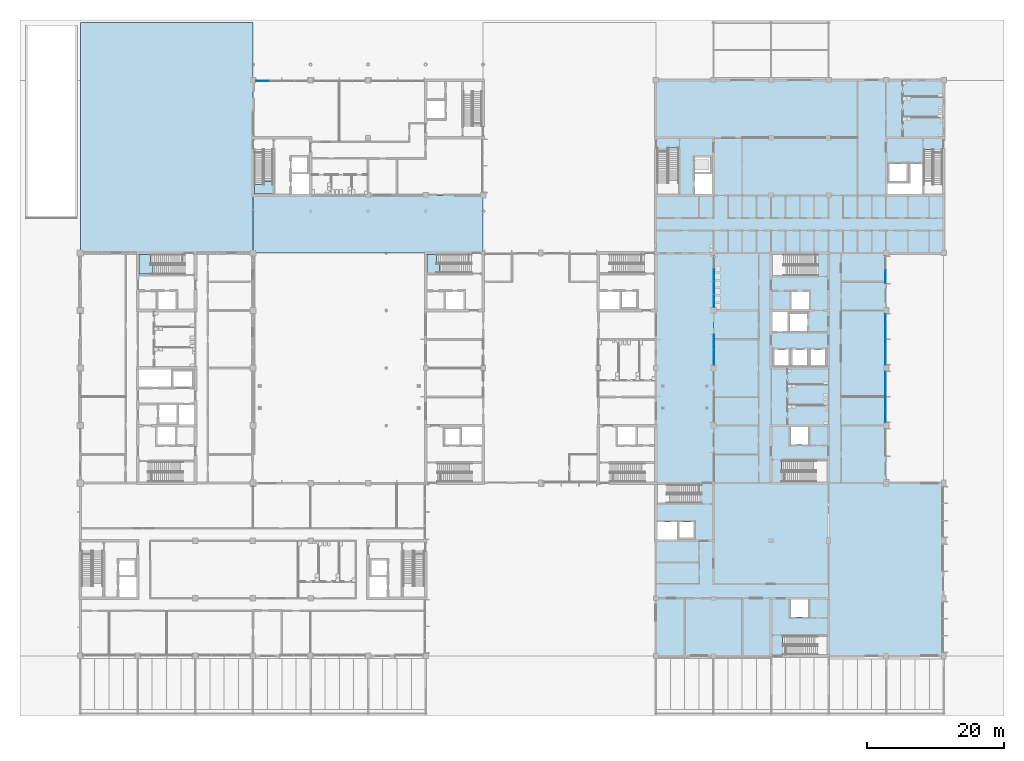
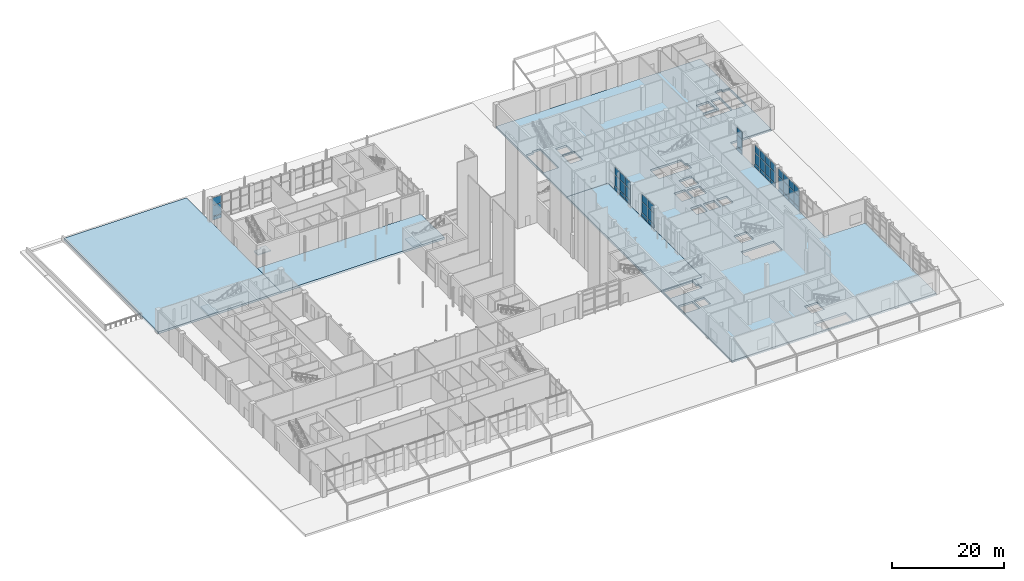
# One storey, part 28 of 76: 45 plates, 7 slabs, 9 elements without a shape of their own.
"""IFC4 building model written with IfcOpenShell, lengths in metres."""

from ifc_helpers import new_model, si_unit, direction, frame, origin, origin_2d, place, context, subcontext, project, spatial, polyline, rectangle, outline, extrude, material, layer, layer_set, type_object, element, aggregate, save


model = new_model("IFC4")

# Units and contexts
model_context = context("Model", 3, precision=1e-05, world=origin(), true_north=direction((0.0, 1.0)))
body_context = subcontext(model_context, "Body", "Model", "MODEL_VIEW")
ifc_project = project(units=[si_unit("LENGTHUNIT", "METRE"), si_unit("AREAUNIT", "SQUARE_METRE"), si_unit("VOLUMEUNIT", "CUBIC_METRE"), si_unit("PLANEANGLEUNIT", "RADIAN"), si_unit("MASSUNIT", "GRAM", prefix="KILO")], contexts=[model_context])

# Site, building, storey
site_placement = place(None, origin())
site = spatial("IfcSite", under=ifc_project, at=site_placement, CompositionType="ELEMENT")
building_placement = place(site_placement, origin())
building = spatial("IfcBuilding", under=site, at=building_placement, Name="Hlaing Beacon Police Headquarters", CompositionType="ELEMENT")
storey_placement = place(building_placement, origin())
storey = spatial("IfcBuildingStorey", under=building, at=storey_placement, Name="L00", CompositionType="ELEMENT", Elevation=0.0)

# Curtain wall, plates
ifc_material_1 = material(Name="Aluminium frame with solar control glazing", Category="aluminium")
curtain_wall_type_1 = type_object("IfcCurtainWallType", Name="Unitised curtain wall 7.50 x 5.05", PredefinedType="NOTDEFINED", material=ifc_material_1)
curtain_wall_1_placement = place(storey_placement, origin())
curtain_wall_1 = element("IfcCurtainWall", 1, at=curtain_wall_1_placement, inside=storey, type_object=curtain_wall_type_1, Name="ENV-CW-L00-E013", PredefinedType="NOTDEFINED")
ifc_material_2 = material(Name="Solar control glazing", Category="glass")
ifc_layer_1 = layer(ifc_material_2, 0.031982421875)
ifc_layer_set_1 = layer_set([ifc_layer_1], Name="Solar control glazing")
plate_type_1 = type_object("IfcPlateType", Name="Clear glazing panel 32", PredefinedType="CURTAIN_PANEL", material=ifc_layer_set_1)
plate_1_placement = place(storey_placement, frame((125.89990234375, 45.262451171875, 3.349853515625), z_axis=(0.0, 0.0, 1.0), x_axis=(0.0, 1.0, 0.0)))
plate_1 = element("IfcPlate", 2, at=plate_1_placement, type_object=plate_type_1, Name="CW-L00-E013 panel 2.3", PredefinedType="CURTAIN_PANEL", context=body_context, shape_type="SweptSolid", body=[
    extrude(rectangle(XDim=1.81494140625, YDim=0.031982421875, at=origin_2d()), origin(), (0.0, 0.0, 1.0), 1.60009765625),
])
plate_2_placement = place(storey_placement, frame((125.89990234375, 48.99755859375, 3.349853515625), z_axis=(0.0, 0.0, 1.0), x_axis=(0.0, 1.0, 0.0)))
plate_2 = element("IfcPlate", 3, at=plate_2_placement, type_object=plate_type_1, Name="CW-L00-E013 panel 4.3", PredefinedType="CURTAIN_PANEL", context=body_context, shape_type="SweptSolid", body=[
    extrude(rectangle(XDim=1.784912109375, YDim=0.031982421875, at=origin_2d()), origin(), (0.0, 0.0, 1.0), 1.60009765625),
])

curtain_wall_2_placement = place(storey_placement, origin())
curtain_wall_2 = element("IfcCurtainWall", 4, at=curtain_wall_2_placement, inside=storey, type_object=curtain_wall_type_1, Name="ENV-CW-L00-E014", PredefinedType="NOTDEFINED")
plate_3_placement = place(storey_placement, frame((125.89990234375, 53.66259765625, 3.349853515625), z_axis=(0.0, 0.0, 1.0), x_axis=(0.0, 1.0, 0.0)))
plate_3 = element("IfcPlate", 5, at=plate_3_placement, type_object=plate_type_1, Name="CW-L00-E014 panel 2.3", PredefinedType="CURTAIN_PANEL", context=body_context, shape_type="SweptSolid", body=[
    extrude(rectangle(XDim=1.81494140625, YDim=0.031982421875, at=origin_2d()), origin(), (0.0, 0.0, 1.0), 1.60009765625),
])
plate_4_placement = place(storey_placement, frame((125.89990234375, 57.3974609375, 3.349853515625), z_axis=(0.0, 0.0, 1.0), x_axis=(0.0, 1.0, 0.0)))
plate_4 = element("IfcPlate", 6, at=plate_4_placement, type_object=plate_type_1, Name="CW-L00-E014 panel 4.3", PredefinedType="CURTAIN_PANEL", context=body_context, shape_type="SweptSolid", body=[
    extrude(rectangle(XDim=1.784912109375, YDim=0.031982421875, at=origin_2d()), origin(), (0.0, 0.0, 1.0), 1.60009765625),
])

curtain_wall_3_placement = place(storey_placement, origin())
curtain_wall_3 = element("IfcCurtainWall", 7, at=curtain_wall_3_placement, inside=storey, type_object=curtain_wall_type_1, Name="ENV-CW-L00-W016", PredefinedType="NOTDEFINED")
plate_5_placement = place(storey_placement, frame((100.89990234375, 63.9375, 3.349853515625), z_axis=(0.0, 0.0, 1.0), x_axis=(0.0, -1.0, 0.0)))
plate_5 = element("IfcPlate", 8, at=plate_5_placement, type_object=plate_type_1, Name="CW-L00-W016 panel 2.3", PredefinedType="CURTAIN_PANEL", context=body_context, shape_type="SweptSolid", body=[
    extrude(rectangle(XDim=1.81494140625, YDim=0.031982421875, at=origin_2d()), origin(), (0.0, 0.0, 1.0), 1.60009765625),
])
plate_6_placement = place(storey_placement, frame((100.89990234375, 60.202392578125, 3.349853515625), z_axis=(0.0, 0.0, 1.0), x_axis=(0.0, -1.0, 0.0)))
plate_6 = element("IfcPlate", 9, at=plate_6_placement, type_object=plate_type_1, Name="CW-L00-W016 panel 4.3", PredefinedType="CURTAIN_PANEL", context=body_context, shape_type="SweptSolid", body=[
    extrude(rectangle(XDim=1.784912109375, YDim=0.031982421875, at=origin_2d()), origin(), (0.0, 0.0, 1.0), 1.60009765625),
])

# Curtain wall, plate
ifc_material_3 = material(Name="Aluminium frame with solar control glazing", Category="aluminium")
curtain_wall_type_2 = type_object("IfcCurtainWallType", Name="Unitised curtain wall 7.60 x 5.05", PredefinedType="NOTDEFINED", material=ifc_material_3)
curtain_wall_4_placement = place(storey_placement, origin())
curtain_wall_4 = element("IfcCurtainWall", 10, at=curtain_wall_4_placement, inside=storey, type_object=curtain_wall_type_2, Name="ENV-CW-L00-N025", PredefinedType="NOTDEFINED")
plate_7_placement = place(storey_placement, frame((34.965087890625, 92.300048828125, 3.349853515625), z_axis=(0.0, 0.0, 1.0), x_axis=(-1.0, 0.0, 0.0)))
plate_7 = element("IfcPlate", 11, at=plate_7_placement, type_object=plate_type_1, Name="CW-L00-N025 panel 4.3", PredefinedType="CURTAIN_PANEL", context=body_context, shape_type="SweptSolid", body=[
    extrude(rectangle(XDim=1.81005859375, YDim=0.031982421875, at=origin_2d()), origin(), (0.0, 0.0, 1.0), 1.60009765625),
])

# Plate
ifc_material_4 = material(Name="Solar control glazing", Category="glass")
ifc_layer_2 = layer(ifc_material_4, 0.0439453125)
ifc_layer_set_2 = layer_set([ifc_layer_2], Name="Solar control glazing")
plate_type_2 = type_object("IfcPlateType", Name="Clear glazing panel 44", PredefinedType="CURTAIN_PANEL", material=ifc_layer_set_2)
plate_8_placement = place(storey_placement, frame((125.89990234375, 45.262451171875, 0.9501953125), z_axis=(0.0, 0.0, 1.0), x_axis=(0.0, 1.0, 0.0)))
plate_8 = element("IfcPlate", 12, at=plate_8_placement, type_object=plate_type_2, Name="CW-L00-E013 panel 2.2", PredefinedType="CURTAIN_PANEL", context=body_context, shape_type="SweptSolid", body=[
    extrude(rectangle(XDim=1.81494140625, YDim=0.0439453125, at=origin_2d()), origin(), (0.0, 0.0, 1.0), 2.300048828125),
])

plate_9_placement = place(storey_placement, frame((125.89990234375, 48.99755859375, 0.9501953125), z_axis=(0.0, 0.0, 1.0), x_axis=(0.0, 1.0, 0.0)))
plate_9 = element("IfcPlate", 13, at=plate_9_placement, type_object=plate_type_2, Name="CW-L00-E013 panel 4.2", PredefinedType="CURTAIN_PANEL", context=body_context, shape_type="SweptSolid", body=[
    extrude(rectangle(XDim=1.784912109375, YDim=0.0439453125, at=origin_2d()), origin(), (0.0, 0.0, 1.0), 2.300048828125),
])

plate_10_placement = place(storey_placement, frame((125.89990234375, 53.66259765625, 0.9501953125), z_axis=(0.0, 0.0, 1.0), x_axis=(0.0, 1.0, 0.0)))
plate_10 = element("IfcPlate", 14, at=plate_10_placement, type_object=plate_type_2, Name="CW-L00-E014 panel 2.2", PredefinedType="CURTAIN_PANEL", context=body_context, shape_type="SweptSolid", body=[
    extrude(rectangle(XDim=1.81494140625, YDim=0.0439453125, at=origin_2d()), origin(), (0.0, 0.0, 1.0), 2.300048828125),
])

plate_11_placement = place(storey_placement, frame((125.89990234375, 57.3974609375, 0.9501953125), z_axis=(0.0, 0.0, 1.0), x_axis=(0.0, 1.0, 0.0)))
plate_11 = element("IfcPlate", 15, at=plate_11_placement, type_object=plate_type_2, Name="CW-L00-E014 panel 4.2", PredefinedType="CURTAIN_PANEL", context=body_context, shape_type="SweptSolid", body=[
    extrude(rectangle(XDim=1.784912109375, YDim=0.0439453125, at=origin_2d()), origin(), (0.0, 0.0, 1.0), 2.300048828125),
])

plate_12_placement = place(storey_placement, frame((100.89990234375, 63.9375, 0.9501953125), z_axis=(0.0, 0.0, 1.0), x_axis=(0.0, -1.0, 0.0)))
plate_12 = element("IfcPlate", 16, at=plate_12_placement, type_object=plate_type_2, Name="CW-L00-W016 panel 2.2", PredefinedType="CURTAIN_PANEL", context=body_context, shape_type="SweptSolid", body=[
    extrude(rectangle(XDim=1.81494140625, YDim=0.0439453125, at=origin_2d()), origin(), (0.0, 0.0, 1.0), 2.300048828125),
])

plate_13_placement = place(storey_placement, frame((100.89990234375, 60.202392578125, 0.9501953125), z_axis=(0.0, 0.0, 1.0), x_axis=(0.0, -1.0, 0.0)))
plate_13 = element("IfcPlate", 17, at=plate_13_placement, type_object=plate_type_2, Name="CW-L00-W016 panel 4.2", PredefinedType="CURTAIN_PANEL", context=body_context, shape_type="SweptSolid", body=[
    extrude(rectangle(XDim=1.784912109375, YDim=0.0439453125, at=origin_2d()), origin(), (0.0, 0.0, 1.0), 2.300048828125),
])

# Curtain wall, plates
ifc_material_5 = material(Name="Aluminium frame with solar control glazing", Category="aluminium")
curtain_wall_type_3 = type_object("IfcCurtainWallType", Name="Unitised curtain wall 4.45 x 5.05", PredefinedType="NOTDEFINED", material=ifc_material_5)
curtain_wall_5_placement = place(storey_placement, origin())
curtain_wall_5 = element("IfcCurtainWall", 18, at=curtain_wall_5_placement, inside=storey, type_object=curtain_wall_type_3, Name="ENV-CW-L00-W017", PredefinedType="NOTDEFINED")
plate_14_placement = place(storey_placement, frame((100.89990234375, 51.9775390625, 0.9501953125), z_axis=(0.0, 0.0, 1.0), x_axis=(0.0, -1.0, 0.0)))
plate_14 = element("IfcPlate", 19, at=plate_14_placement, type_object=plate_type_2, Name="CW-L00-W017 panel 2.2", PredefinedType="CURTAIN_PANEL", context=body_context, shape_type="SweptSolid", body=[
    extrude(rectangle(XDim=2.135009765625, YDim=0.0439453125, at=origin_2d()), origin(), (0.0, 0.0, 1.0), 2.300048828125),
])
plate_15_placement = place(storey_placement, frame((100.89990234375, 51.9775390625, 3.349853515625), z_axis=(0.0, 0.0, 1.0), x_axis=(0.0, -1.0, 0.0)))
plate_15 = element("IfcPlate", 20, at=plate_15_placement, type_object=plate_type_2, Name="CW-L00-W017 panel 2.3", PredefinedType="CURTAIN_PANEL", context=body_context, shape_type="SweptSolid", body=[
    extrude(rectangle(XDim=2.135009765625, YDim=0.0439453125, at=origin_2d()), origin(), (0.0, 0.0, 1.0), 1.60009765625),
])

# Plate
plate_16_placement = place(storey_placement, frame((34.965087890625, 92.300048828125, 0.9501953125), z_axis=(0.0, 0.0, 1.0), x_axis=(-1.0, 0.0, 0.0)))
plate_16 = element("IfcPlate", 21, at=plate_16_placement, type_object=plate_type_2, Name="CW-L00-N025 panel 4.2", PredefinedType="CURTAIN_PANEL", context=body_context, shape_type="SweptSolid", body=[
    extrude(rectangle(XDim=1.81005859375, YDim=0.0439453125, at=origin_2d()), origin(), (0.0, 0.0, 1.0), 2.300048828125),
])

# Slabs
ifc_material_6 = material(Name="Concrete C50/60", Category="concrete")
ifc_layer_3 = layer(ifc_material_6, 0.449951171875)
ifc_layer_set_3 = layer_set([ifc_layer_3], Name="Concrete C50/60")
slab_type_1 = type_object("IfcSlabType", Name="Deck slab 450", PredefinedType="FLOOR", material=ifc_layer_set_3)
slab_1_placement = place(storey_placement, frame((0.0, 0.0, -0.449951171875)))
element("IfcSlab", 22, at=slab_1_placement, inside=storey, type_object=slab_type_1, Name="STR-SLAB-L00-02", PredefinedType="FLOOR", context=body_context, shape_type="SweptSolid", body=[
    extrude(outline(polyline([(92.39990234375, 8.39990234375), (134.39990234375, 8.39990234375), (134.39990234375, 33.60009765625), (126.0, 33.60009765625), (126.0, 67.199951171875), (134.39990234375, 67.199951171875), (134.39990234375, 92.39990234375), (92.39990234375, 92.39990234375), (92.39990234375, 67.199951171875), (100.800048828125, 67.199951171875), (100.800048828125, 33.60009765625), (92.39990234375, 33.60009765625), (92.39990234375, 8.39990234375)]), holes=[polyline([(92.60009765625, 25.39990234375), (95.550048828125, 25.39990234375), (95.550048828125, 27.949951171875), (92.60009765625, 27.949951171875), (92.60009765625, 25.39990234375)]), polyline([(92.60009765625, 30.699951171875), (99.090087890625, 30.699951171875), (99.090087890625, 32.10009765625), (98.699951171875, 32.10009765625), (98.699951171875, 33.39990234375), (92.60009765625, 33.39990234375), (92.60009765625, 30.699951171875)]), polyline([(92.60009765625, 75.800048828125), (95.699951171875, 75.800048828125), (95.699951171875, 82.489990234375), (94.10009765625, 82.489990234375), (94.10009765625, 82.10009765625), (92.60009765625, 82.10009765625), (92.60009765625, 75.800048828125)]), polyline([(95.800048828125, 25.64990234375), (97.949951171875, 25.64990234375), (97.949951171875, 27.949951171875), (95.800048828125, 27.949951171875), (95.800048828125, 25.64990234375)]), polyline([(98.050048828125, 75.800048828125), (100.60009765625, 75.800048828125), (100.60009765625, 78.75), (98.050048828125, 78.75), (98.050048828125, 75.800048828125)]), polyline([(98.050048828125, 79.0), (100.35009765625, 79.0), (100.35009765625, 81.14990234375), (98.050048828125, 81.14990234375), (98.050048828125, 79.0)]), polyline([(109.39990234375, 55.75), (111.64990234375, 55.75), (111.64990234375, 58.60009765625), (109.39990234375, 58.60009765625), (109.39990234375, 55.75)]), polyline([(109.39990234375, 63.89990234375), (116.090087890625, 63.89990234375), (116.090087890625, 65.5), (115.699951171875, 65.5), (115.699951171875, 67.0), (109.39990234375, 67.0), (109.39990234375, 63.89990234375)]), polyline([(109.64990234375, 50.85009765625), (111.800048828125, 50.85009765625), (111.800048828125, 53.14990234375), (109.64990234375, 53.14990234375), (109.64990234375, 50.85009765625)]), polyline([(111.10009765625, 33.800048828125), (117.39990234375, 33.800048828125), (117.39990234375, 36.89990234375), (110.7099609375, 36.89990234375), (110.7099609375, 35.300048828125), (111.10009765625, 35.300048828125), (111.10009765625, 33.800048828125)]), polyline([(111.300048828125, 8.60009765625), (117.39990234375, 8.60009765625), (117.39990234375, 11.300048828125), (110.909912109375, 11.300048828125), (110.909912109375, 9.89990234375), (111.300048828125, 9.89990234375), (111.300048828125, 8.60009765625)]), polyline([(111.89990234375, 55.75), (114.5, 55.75), (114.5, 58.35009765625), (111.89990234375, 58.35009765625), (111.89990234375, 55.75)]), polyline([(112.050048828125, 14.050048828125), (114.64990234375, 14.050048828125), (114.64990234375, 16.60009765625), (112.050048828125, 16.60009765625), (112.050048828125, 14.050048828125)]), polyline([(112.050048828125, 39.25), (114.64990234375, 39.25), (114.64990234375, 41.800048828125), (112.050048828125, 41.800048828125), (112.050048828125, 39.25)]), polyline([(112.14990234375, 59.0), (114.75, 59.0), (114.75, 61.550048828125), (112.14990234375, 61.550048828125), (112.14990234375, 59.0)]), polyline([(112.300048828125, 50.85009765625), (114.5, 50.85009765625), (114.5, 53.14990234375), (112.300048828125, 53.14990234375), (112.300048828125, 50.85009765625)]), polyline([(115.0, 50.85009765625), (117.14990234375, 50.85009765625), (117.14990234375, 53.14990234375), (115.0, 53.14990234375), (115.0, 50.85009765625)]), polyline([(126.199951171875, 75.800048828125), (131.25, 75.800048828125), (131.25, 80.25), (129.5, 80.25), (129.5, 77.39990234375), (126.199951171875, 77.39990234375), (126.199951171875, 75.800048828125)]), polyline([(126.449951171875, 77.64990234375), (129.0, 77.64990234375), (129.0, 80.25), (126.449951171875, 80.25), (126.449951171875, 77.64990234375)]), polyline([(131.5, 75.800048828125), (134.199951171875, 75.800048828125), (134.199951171875, 81.89990234375), (132.89990234375, 81.89990234375), (132.89990234375, 82.2900390625), (131.5, 82.2900390625), (131.5, 75.800048828125)])]), origin(), (0.0, 0.0, 1.0), 0.449951171875),
])
slab_2_placement = place(storey_placement, frame((0.0, 0.0, -0.449951171875)))
element("IfcSlab", 23, at=slab_2_placement, inside=storey, type_object=slab_type_1, Name="STR-SLAB-L00-07", PredefinedType="FLOOR", context=body_context, shape_type="SweptSolid", body=[
    extrude(outline(polyline([(92.39990234375, 33.60009765625), (100.800048828125, 33.60009765625), (100.800048828125, 67.199951171875), (92.39990234375, 67.199951171875), (92.39990234375, 33.60009765625)])), origin(), (0.0, 0.0, 1.0), 0.449951171875),
])
slab_3_placement = place(storey_placement, frame((0.0, 0.0, -0.449951171875)))
element("IfcSlab", 24, at=slab_3_placement, inside=storey, type_object=slab_type_1, Name="STR-SLAB-L00-10", PredefinedType="FLOOR", context=body_context, shape_type="SweptSolid", body=[
    extrude(outline(polyline([(8.39990234375, 67.199951171875), (33.60009765625, 67.199951171875), (33.60009765625, 100.800048828125), (8.39990234375, 100.800048828125), (8.39990234375, 67.199951171875)])), origin(), (0.0, 0.0, 1.0), 0.449951171875),
])
slab_4_placement = place(storey_placement, frame((0.0, 0.0, -0.449951171875)))
element("IfcSlab", 25, at=slab_4_placement, inside=storey, type_object=slab_type_1, Name="STR-SLAB-L00-15", PredefinedType="FLOOR", context=body_context, shape_type="SweptSolid", body=[
    extrude(outline(polyline([(33.60009765625, 67.199951171875), (67.199951171875, 67.199951171875), (67.199951171875, 75.60009765625), (33.60009765625, 75.60009765625), (33.60009765625, 67.199951171875)])), origin(), (0.0, 0.0, 1.0), 0.449951171875),
])

# Plate
ifc_material_7 = material(Name="Fritted solar control glazing", Category="glass")
ifc_layer_4 = layer(ifc_material_7, 0.031982421875)
ifc_layer_set_4 = layer_set([ifc_layer_4], Name="Fritted solar control glazing")
plate_type_3 = type_object("IfcPlateType", Name="Fritted glazing panel 32", PredefinedType="CURTAIN_PANEL", material=ifc_layer_set_4)
plate_17_placement = place(storey_placement, frame((125.89990234375, 43.402587890625, 3.349853515625), z_axis=(0.0, 0.0, 1.0), x_axis=(0.0, 1.0, 0.0)))
plate_17 = element("IfcPlate", 26, at=plate_17_placement, type_object=plate_type_3, Name="CW-L00-E013 panel 1.3", PredefinedType="CURTAIN_PANEL", context=body_context, shape_type="SweptSolid", body=[
    extrude(rectangle(XDim=1.784912109375, YDim=0.031982421875, at=origin_2d()), origin(), (0.0, 0.0, 1.0), 1.60009765625),
])

plate_18_placement = place(storey_placement, frame((125.89990234375, 47.137451171875, 3.349853515625), z_axis=(0.0, 0.0, 1.0), x_axis=(0.0, 1.0, 0.0)))
plate_18 = element("IfcPlate", 27, at=plate_18_placement, type_object=plate_type_3, Name="CW-L00-E013 panel 3.3", PredefinedType="CURTAIN_PANEL", context=body_context, shape_type="SweptSolid", body=[
    extrude(rectangle(XDim=1.81494140625, YDim=0.031982421875, at=origin_2d()), origin(), (0.0, 0.0, 1.0), 1.60009765625),
])

plate_19_placement = place(storey_placement, frame((125.89990234375, 51.802490234375, 3.349853515625), z_axis=(0.0, 0.0, 1.0), x_axis=(0.0, 1.0, 0.0)))
plate_19 = element("IfcPlate", 28, at=plate_19_placement, type_object=plate_type_3, Name="CW-L00-E014 panel 1.3", PredefinedType="CURTAIN_PANEL", context=body_context, shape_type="SweptSolid", body=[
    extrude(rectangle(XDim=1.784912109375, YDim=0.031982421875, at=origin_2d()), origin(), (0.0, 0.0, 1.0), 1.60009765625),
])

plate_20_placement = place(storey_placement, frame((125.89990234375, 55.53759765625, 3.349853515625), z_axis=(0.0, 0.0, 1.0), x_axis=(0.0, 1.0, 0.0)))
plate_20 = element("IfcPlate", 29, at=plate_20_placement, type_object=plate_type_3, Name="CW-L00-E014 panel 3.3", PredefinedType="CURTAIN_PANEL", context=body_context, shape_type="SweptSolid", body=[
    extrude(rectangle(XDim=1.81494140625, YDim=0.031982421875, at=origin_2d()), origin(), (0.0, 0.0, 1.0), 1.60009765625),
])

# Curtain wall, plate
ifc_material_8 = material(Name="Aluminium frame with solar control glazing", Category="aluminium")
curtain_wall_type_4 = type_object("IfcCurtainWallType", Name="Unitised curtain wall 4.05 x 5.05", PredefinedType="NOTDEFINED", material=ifc_material_8)
curtain_wall_6_placement = place(storey_placement, origin())
curtain_wall_6 = element("IfcCurtainWall", 30, at=curtain_wall_6_placement, inside=storey, type_object=curtain_wall_type_4, Name="ENV-CW-L00-E015", PredefinedType="NOTDEFINED")
plate_21_placement = place(storey_placement, frame((125.89990234375, 63.7275390625, 3.349853515625), z_axis=(0.0, 0.0, 1.0), x_axis=(0.0, 1.0, 0.0)))
plate_21 = element("IfcPlate", 31, at=plate_21_placement, type_object=plate_type_3, Name="CW-L00-E015 panel 1.3", PredefinedType="CURTAIN_PANEL", context=body_context, shape_type="SweptSolid", body=[
    extrude(rectangle(XDim=1.93505859375, YDim=0.031982421875, at=origin_2d()), origin(), (0.0, 0.0, 1.0), 1.60009765625),
])

# Plate
plate_22_placement = place(storey_placement, frame((100.89990234375, 62.0625, 3.349853515625), z_axis=(0.0, 0.0, 1.0), x_axis=(0.0, -1.0, 0.0)))
plate_22 = element("IfcPlate", 32, at=plate_22_placement, type_object=plate_type_3, Name="CW-L00-W016 panel 3.3", PredefinedType="CURTAIN_PANEL", context=body_context, shape_type="SweptSolid", body=[
    extrude(rectangle(XDim=1.81494140625, YDim=0.031982421875, at=origin_2d()), origin(), (0.0, 0.0, 1.0), 1.60009765625),
])

ifc_material_9 = material(Name="Fritted solar control glazing", Category="glass")
ifc_layer_5 = layer(ifc_material_9, 0.0439453125)
ifc_layer_set_5 = layer_set([ifc_layer_5], Name="Fritted solar control glazing")
plate_type_4 = type_object("IfcPlateType", Name="Fritted glazing panel 44", PredefinedType="CURTAIN_PANEL", material=ifc_layer_set_5)
plate_23_placement = place(storey_placement, frame((125.89990234375, 43.402587890625, 0.9501953125), z_axis=(0.0, 0.0, 1.0), x_axis=(0.0, 1.0, 0.0)))
plate_23 = element("IfcPlate", 33, at=plate_23_placement, type_object=plate_type_4, Name="CW-L00-E013 panel 1.2", PredefinedType="CURTAIN_PANEL", context=body_context, shape_type="SweptSolid", body=[
    extrude(rectangle(XDim=1.784912109375, YDim=0.0439453125, at=origin_2d()), origin(), (0.0, 0.0, 1.0), 2.300048828125),
])

plate_24_placement = place(storey_placement, frame((125.89990234375, 47.137451171875, 0.9501953125), z_axis=(0.0, 0.0, 1.0), x_axis=(0.0, 1.0, 0.0)))
plate_24 = element("IfcPlate", 34, at=plate_24_placement, type_object=plate_type_4, Name="CW-L00-E013 panel 3.2", PredefinedType="CURTAIN_PANEL", context=body_context, shape_type="SweptSolid", body=[
    extrude(rectangle(XDim=1.81494140625, YDim=0.0439453125, at=origin_2d()), origin(), (0.0, 0.0, 1.0), 2.300048828125),
])

plate_25_placement = place(storey_placement, frame((125.89990234375, 51.802490234375, 0.9501953125), z_axis=(0.0, 0.0, 1.0), x_axis=(0.0, 1.0, 0.0)))
plate_25 = element("IfcPlate", 35, at=plate_25_placement, type_object=plate_type_4, Name="CW-L00-E014 panel 1.2", PredefinedType="CURTAIN_PANEL", context=body_context, shape_type="SweptSolid", body=[
    extrude(rectangle(XDim=1.784912109375, YDim=0.0439453125, at=origin_2d()), origin(), (0.0, 0.0, 1.0), 2.300048828125),
])

plate_26_placement = place(storey_placement, frame((125.89990234375, 55.53759765625, 0.9501953125), z_axis=(0.0, 0.0, 1.0), x_axis=(0.0, 1.0, 0.0)))
plate_26 = element("IfcPlate", 36, at=plate_26_placement, type_object=plate_type_4, Name="CW-L00-E014 panel 3.2", PredefinedType="CURTAIN_PANEL", context=body_context, shape_type="SweptSolid", body=[
    extrude(rectangle(XDim=1.81494140625, YDim=0.0439453125, at=origin_2d()), origin(), (0.0, 0.0, 1.0), 2.300048828125),
])

plate_27_placement = place(storey_placement, frame((125.89990234375, 63.7275390625, 0.9501953125), z_axis=(0.0, 0.0, 1.0), x_axis=(0.0, 1.0, 0.0)))
plate_27 = element("IfcPlate", 37, at=plate_27_placement, type_object=plate_type_4, Name="CW-L00-E015 panel 1.2", PredefinedType="CURTAIN_PANEL", context=body_context, shape_type="SweptSolid", body=[
    extrude(rectangle(XDim=1.93505859375, YDim=0.0439453125, at=origin_2d()), origin(), (0.0, 0.0, 1.0), 2.300048828125),
])

plate_28_placement = place(storey_placement, frame((100.89990234375, 62.0625, 0.9501953125), z_axis=(0.0, 0.0, 1.0), x_axis=(0.0, -1.0, 0.0)))
plate_28 = element("IfcPlate", 38, at=plate_28_placement, type_object=plate_type_4, Name="CW-L00-W016 panel 3.2", PredefinedType="CURTAIN_PANEL", context=body_context, shape_type="SweptSolid", body=[
    extrude(rectangle(XDim=1.81494140625, YDim=0.0439453125, at=origin_2d()), origin(), (0.0, 0.0, 1.0), 2.300048828125),
])

plate_29_placement = place(storey_placement, frame((100.89990234375, 54.172607421875, 0.9501953125), z_axis=(0.0, 0.0, 1.0), x_axis=(0.0, -1.0, 0.0)))
plate_29 = element("IfcPlate", 39, at=plate_29_placement, type_object=plate_type_4, Name="CW-L00-W017 panel 1.2", PredefinedType="CURTAIN_PANEL", context=body_context, shape_type="SweptSolid", body=[
    extrude(rectangle(XDim=2.135009765625, YDim=0.0439453125, at=origin_2d()), origin(), (0.0, 0.0, 1.0), 2.300048828125),
])

plate_30_placement = place(storey_placement, frame((100.89990234375, 54.172607421875, 3.349853515625), z_axis=(0.0, 0.0, 1.0), x_axis=(0.0, -1.0, 0.0)))
plate_30 = element("IfcPlate", 40, at=plate_30_placement, type_object=plate_type_4, Name="CW-L00-W017 panel 1.3", PredefinedType="CURTAIN_PANEL", context=body_context, shape_type="SweptSolid", body=[
    extrude(rectangle(XDim=2.135009765625, YDim=0.0439453125, at=origin_2d()), origin(), (0.0, 0.0, 1.0), 1.60009765625),
])

ifc_material_10 = material(Name="Insulated aluminium spandrel", Category="aluminium")
ifc_layer_6 = layer(ifc_material_10, 0.10009765625)
ifc_layer_set_6 = layer_set([ifc_layer_6], Name="Insulated aluminium spandrel")
plate_type_5 = type_object("IfcPlateType", Name="Insulated spandrel panel 100", PredefinedType="CURTAIN_PANEL", material=ifc_layer_set_6)
plate_31_placement = place(storey_placement, frame((125.89990234375, 43.402587890625, 0.10009765625), z_axis=(0.0, 0.0, 1.0), x_axis=(0.0, 1.0, 0.0)))
plate_31 = element("IfcPlate", 41, at=plate_31_placement, type_object=plate_type_5, Name="CW-L00-E013 panel 1.1", PredefinedType="CURTAIN_PANEL", context=body_context, shape_type="SweptSolid", body=[
    extrude(rectangle(XDim=1.784912109375, YDim=0.10009765625, at=origin_2d()), origin(), (0.0, 0.0, 1.0), 0.75),
])

plate_32_placement = place(storey_placement, frame((125.89990234375, 45.262451171875, 0.10009765625), z_axis=(0.0, 0.0, 1.0), x_axis=(0.0, 1.0, 0.0)))
plate_32 = element("IfcPlate", 42, at=plate_32_placement, type_object=plate_type_5, Name="CW-L00-E013 panel 2.1", PredefinedType="CURTAIN_PANEL", context=body_context, shape_type="SweptSolid", body=[
    extrude(rectangle(XDim=1.81494140625, YDim=0.10009765625, at=origin_2d()), origin(), (0.0, 0.0, 1.0), 0.75),
])

plate_33_placement = place(storey_placement, frame((125.89990234375, 47.137451171875, 0.10009765625), z_axis=(0.0, 0.0, 1.0), x_axis=(0.0, 1.0, 0.0)))
plate_33 = element("IfcPlate", 43, at=plate_33_placement, type_object=plate_type_5, Name="CW-L00-E013 panel 3.1", PredefinedType="CURTAIN_PANEL", context=body_context, shape_type="SweptSolid", body=[
    extrude(rectangle(XDim=1.81494140625, YDim=0.10009765625, at=origin_2d()), origin(), (0.0, 0.0, 1.0), 0.75),
])

plate_34_placement = place(storey_placement, frame((125.89990234375, 48.99755859375, 0.10009765625), z_axis=(0.0, 0.0, 1.0), x_axis=(0.0, 1.0, 0.0)))
plate_34 = element("IfcPlate", 44, at=plate_34_placement, type_object=plate_type_5, Name="CW-L00-E013 panel 4.1", PredefinedType="CURTAIN_PANEL", context=body_context, shape_type="SweptSolid", body=[
    extrude(rectangle(XDim=1.784912109375, YDim=0.10009765625, at=origin_2d()), origin(), (0.0, 0.0, 1.0), 0.75),
])

aggregate(curtain_wall_1, [plate_31, plate_23, plate_17, plate_32, plate_8, plate_1, plate_33, plate_24, plate_18, plate_34, plate_9, plate_2])

plate_35_placement = place(storey_placement, frame((125.89990234375, 51.802490234375, 0.10009765625), z_axis=(0.0, 0.0, 1.0), x_axis=(0.0, 1.0, 0.0)))
plate_35 = element("IfcPlate", 45, at=plate_35_placement, type_object=plate_type_5, Name="CW-L00-E014 panel 1.1", PredefinedType="CURTAIN_PANEL", context=body_context, shape_type="SweptSolid", body=[
    extrude(rectangle(XDim=1.784912109375, YDim=0.10009765625, at=origin_2d()), origin(), (0.0, 0.0, 1.0), 0.75),
])

plate_36_placement = place(storey_placement, frame((125.89990234375, 53.66259765625, 0.10009765625), z_axis=(0.0, 0.0, 1.0), x_axis=(0.0, 1.0, 0.0)))
plate_36 = element("IfcPlate", 46, at=plate_36_placement, type_object=plate_type_5, Name="CW-L00-E014 panel 2.1", PredefinedType="CURTAIN_PANEL", context=body_context, shape_type="SweptSolid", body=[
    extrude(rectangle(XDim=1.81494140625, YDim=0.10009765625, at=origin_2d()), origin(), (0.0, 0.0, 1.0), 0.75),
])

plate_37_placement = place(storey_placement, frame((125.89990234375, 55.53759765625, 0.10009765625), z_axis=(0.0, 0.0, 1.0), x_axis=(0.0, 1.0, 0.0)))
plate_37 = element("IfcPlate", 47, at=plate_37_placement, type_object=plate_type_5, Name="CW-L00-E014 panel 3.1", PredefinedType="CURTAIN_PANEL", context=body_context, shape_type="SweptSolid", body=[
    extrude(rectangle(XDim=1.81494140625, YDim=0.10009765625, at=origin_2d()), origin(), (0.0, 0.0, 1.0), 0.75),
])

plate_38_placement = place(storey_placement, frame((125.89990234375, 57.3974609375, 0.10009765625), z_axis=(0.0, 0.0, 1.0), x_axis=(0.0, 1.0, 0.0)))
plate_38 = element("IfcPlate", 48, at=plate_38_placement, type_object=plate_type_5, Name="CW-L00-E014 panel 4.1", PredefinedType="CURTAIN_PANEL", context=body_context, shape_type="SweptSolid", body=[
    extrude(rectangle(XDim=1.784912109375, YDim=0.10009765625, at=origin_2d()), origin(), (0.0, 0.0, 1.0), 0.75),
])

aggregate(curtain_wall_2, [plate_35, plate_25, plate_19, plate_36, plate_10, plate_3, plate_37, plate_26, plate_20, plate_38, plate_11, plate_4])

plate_39_placement = place(storey_placement, frame((125.89990234375, 63.7275390625, 0.10009765625), z_axis=(0.0, 0.0, 1.0), x_axis=(0.0, 1.0, 0.0)))
plate_39 = element("IfcPlate", 49, at=plate_39_placement, type_object=plate_type_5, Name="CW-L00-E015 panel 1.1", PredefinedType="CURTAIN_PANEL", context=body_context, shape_type="SweptSolid", body=[
    extrude(rectangle(XDim=1.93505859375, YDim=0.10009765625, at=origin_2d()), origin(), (0.0, 0.0, 1.0), 0.75),
])

aggregate(curtain_wall_6, [plate_39, plate_27, plate_21])

plate_40_placement = place(storey_placement, frame((100.89990234375, 63.9375, 0.10009765625), z_axis=(0.0, 0.0, 1.0), x_axis=(0.0, -1.0, 0.0)))
plate_40 = element("IfcPlate", 50, at=plate_40_placement, type_object=plate_type_5, Name="CW-L00-W016 panel 2.1", PredefinedType="CURTAIN_PANEL", context=body_context, shape_type="SweptSolid", body=[
    extrude(rectangle(XDim=1.81494140625, YDim=0.10009765625, at=origin_2d()), origin(), (0.0, 0.0, 1.0), 0.75),
])

plate_41_placement = place(storey_placement, frame((100.89990234375, 62.0625, 0.10009765625), z_axis=(0.0, 0.0, 1.0), x_axis=(0.0, -1.0, 0.0)))
plate_41 = element("IfcPlate", 51, at=plate_41_placement, type_object=plate_type_5, Name="CW-L00-W016 panel 3.1", PredefinedType="CURTAIN_PANEL", context=body_context, shape_type="SweptSolid", body=[
    extrude(rectangle(XDim=1.81494140625, YDim=0.10009765625, at=origin_2d()), origin(), (0.0, 0.0, 1.0), 0.75),
])

plate_42_placement = place(storey_placement, frame((100.89990234375, 60.202392578125, 0.10009765625), z_axis=(0.0, 0.0, 1.0), x_axis=(0.0, -1.0, 0.0)))
plate_42 = element("IfcPlate", 52, at=plate_42_placement, type_object=plate_type_5, Name="CW-L00-W016 panel 4.1", PredefinedType="CURTAIN_PANEL", context=body_context, shape_type="SweptSolid", body=[
    extrude(rectangle(XDim=1.784912109375, YDim=0.10009765625, at=origin_2d()), origin(), (0.0, 0.0, 1.0), 0.75),
])

aggregate(curtain_wall_3, [plate_40, plate_12, plate_5, plate_41, plate_28, plate_22, plate_42, plate_13, plate_6])

plate_43_placement = place(storey_placement, frame((100.89990234375, 54.172607421875, 0.10009765625), z_axis=(0.0, 0.0, 1.0), x_axis=(0.0, -1.0, 0.0)))
plate_43 = element("IfcPlate", 53, at=plate_43_placement, type_object=plate_type_5, Name="CW-L00-W017 panel 1.1", PredefinedType="CURTAIN_PANEL", context=body_context, shape_type="SweptSolid", body=[
    extrude(rectangle(XDim=2.135009765625, YDim=0.10009765625, at=origin_2d()), origin(), (0.0, 0.0, 1.0), 0.75),
])

plate_44_placement = place(storey_placement, frame((100.89990234375, 51.9775390625, 0.10009765625), z_axis=(0.0, 0.0, 1.0), x_axis=(0.0, -1.0, 0.0)))
plate_44 = element("IfcPlate", 54, at=plate_44_placement, type_object=plate_type_5, Name="CW-L00-W017 panel 2.1", PredefinedType="CURTAIN_PANEL", context=body_context, shape_type="SweptSolid", body=[
    extrude(rectangle(XDim=2.135009765625, YDim=0.10009765625, at=origin_2d()), origin(), (0.0, 0.0, 1.0), 0.75),
])

aggregate(curtain_wall_5, [plate_43, plate_29, plate_30, plate_44, plate_14, plate_15])

plate_45_placement = place(storey_placement, frame((34.965087890625, 92.300048828125, 0.10009765625), z_axis=(0.0, 0.0, 1.0), x_axis=(-1.0, 0.0, 0.0)))
plate_45 = element("IfcPlate", 55, at=plate_45_placement, type_object=plate_type_5, Name="CW-L00-N025 panel 4.1", PredefinedType="CURTAIN_PANEL", context=body_context, shape_type="SweptSolid", body=[
    extrude(rectangle(XDim=1.81005859375, YDim=0.10009765625, at=origin_2d()), origin(), (0.0, 0.0, 1.0), 0.75),
])

aggregate(curtain_wall_4, [plate_45, plate_16, plate_7])

# Stair, slab
ifc_material_11 = material(Name="Concrete C40/50", Category="concrete")
stair_type_1 = type_object("IfcStairType", Name="Half-turn stair 1300 wide, 5400 rise", PredefinedType="HALF_TURN_STAIR", material=ifc_material_11)
stair_1_placement = place(storey_placement, origin())
stair_1 = element("IfcStair", 56, at=stair_1_placement, inside=storey, type_object=stair_type_1, Name="Stair ST-B", PredefinedType="HALF_TURN_STAIR")
ifc_material_12 = material(Name="Concrete C40/50", Category="concrete")
ifc_layer_7 = layer(ifc_material_12, 0.219970703125)
ifc_layer_set_7 = layer_set([ifc_layer_7], Name="Concrete C40/50")
slab_type_2 = type_object("IfcSlabType", Name="Stair landing 220", PredefinedType="LANDING", material=ifc_layer_set_7)
slab_5_placement = place(storey_placement, frame((0.0, 0.0, 2.47998046875)))
slab_5 = element("IfcSlab", 57, at=slab_5_placement, type_object=slab_type_2, Name="ST-B landing 1", PredefinedType="LANDING", context=body_context, shape_type="SweptSolid", body=[
    extrude(outline(polyline([(60.409912109375, 67.0), (59.0, 67.0), (59.0, 64.300048828125), (60.800048828125, 64.300048828125), (60.800048828125, 65.60009765625), (60.409912109375, 65.60009765625), (60.409912109375, 67.0)])), origin(), (0.0, 0.0, 1.0), 0.219970703125),
])
aggregate(stair_1, [slab_5])

stair_2_placement = place(storey_placement, origin())
stair_2 = element("IfcStair", 58, at=stair_2_placement, inside=storey, type_object=stair_type_1, Name="Stair ST-E", PredefinedType="HALF_TURN_STAIR")
slab_6_placement = place(storey_placement, frame((0.0, 0.0, 2.47998046875)))
slab_6 = element("IfcSlab", 59, at=slab_6_placement, type_object=slab_type_2, Name="ST-E landing 1", PredefinedType="LANDING", context=body_context, shape_type="SweptSolid", body=[
    extrude(outline(polyline([(33.800048828125, 77.2099609375), (33.800048828125, 75.800048828125), (36.5, 75.800048828125), (36.5, 77.60009765625), (35.199951171875, 77.60009765625), (35.199951171875, 77.2099609375), (33.800048828125, 77.2099609375)])), origin(), (0.0, 0.0, 1.0), 0.219970703125),
])
aggregate(stair_2, [slab_6])

ifc_material_13 = material(Name="Concrete C40/50", Category="concrete")
stair_type_2 = type_object("IfcStairType", Name="Half-turn stair 1400 wide, 5400 rise", PredefinedType="HALF_TURN_STAIR", material=ifc_material_13)
stair_3_placement = place(storey_placement, origin())
stair_3 = element("IfcStair", 60, at=stair_3_placement, inside=storey, type_object=stair_type_2, Name="Stair ST-P", PredefinedType="HALF_TURN_STAIR")
slab_7_placement = place(storey_placement, frame((0.0, 0.0, 2.47998046875)))
slab_7 = element("IfcSlab", 61, at=slab_7_placement, type_object=slab_type_2, Name="ST-P landing 1", PredefinedType="LANDING", context=body_context, shape_type="SweptSolid", body=[
    extrude(outline(polyline([(18.610107421875, 67.0), (17.0, 67.0), (17.0, 64.10009765625), (19.0, 64.10009765625), (19.0, 65.5), (18.610107421875, 65.5), (18.610107421875, 67.0)])), origin(), (0.0, 0.0, 1.0), 0.219970703125),
])
aggregate(stair_3, [slab_7])

save(model, "model.ifc")
